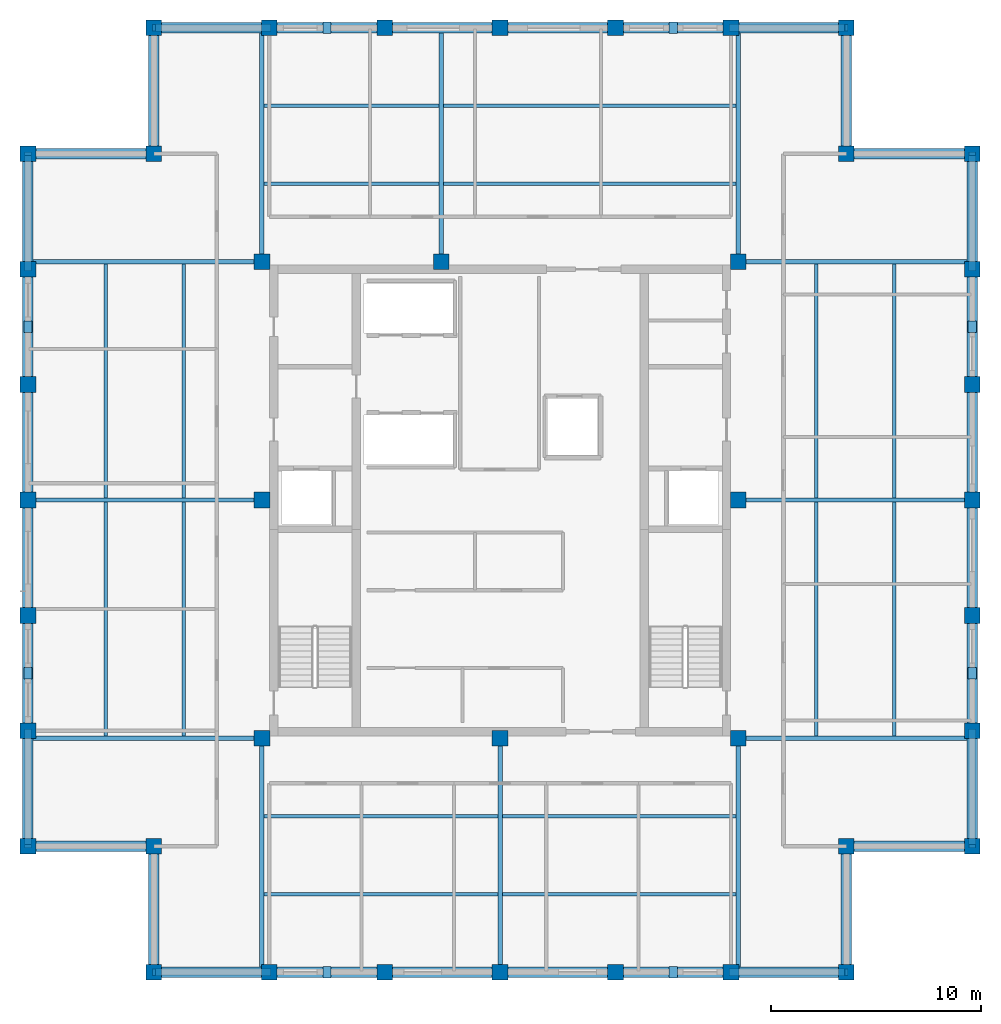
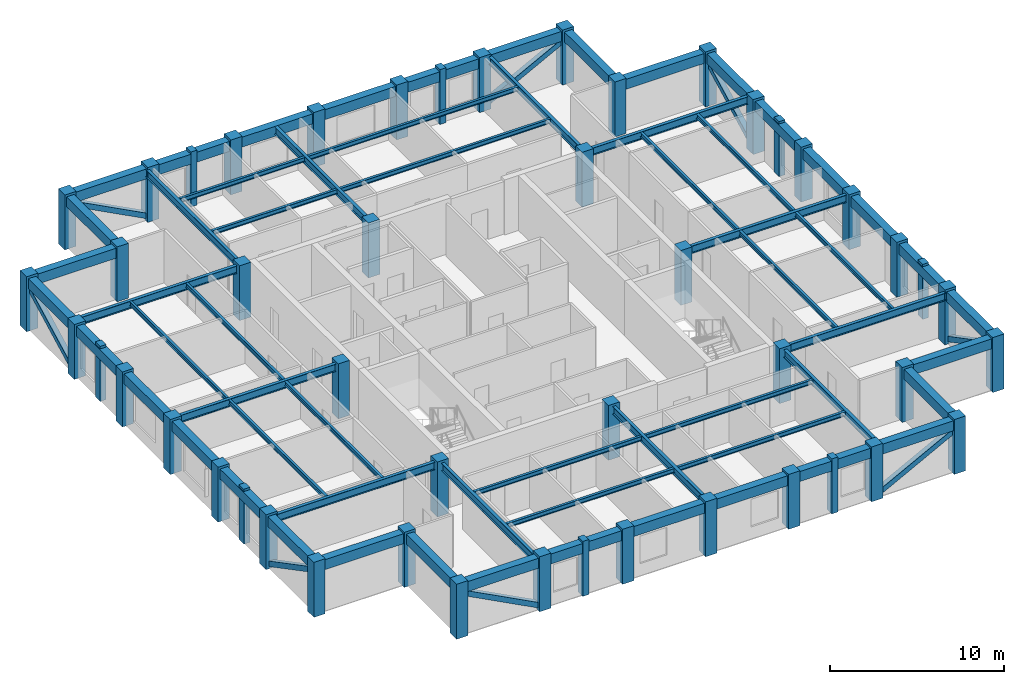
# One storey, part 1 of 7: 60 beams, 40 columns, 16 members.
"""IFC4 building model written with IfcOpenShell, lengths in metres."""

from ifc_helpers import new_model, si_unit, direction, frame, origin, origin_2d, place, context, subcontext, project, spatial, rectangle, hollow_rectangle, i_section, extrude, material, material_profile, profile_set, type_object, element, save


model = new_model("IFC4")

# Units and contexts
model_context = context("Model", 3, precision=1e-05, world=origin(), true_north=direction((0.0, 1.0)))
body_context = subcontext(model_context, "Body", "Model", "MODEL_VIEW")
ifc_project = project(units=[si_unit("LENGTHUNIT", "METRE"), si_unit("AREAUNIT", "SQUARE_METRE"), si_unit("VOLUMEUNIT", "CUBIC_METRE"), si_unit("PLANEANGLEUNIT", "RADIAN"), si_unit("MASSUNIT", "GRAM", prefix="KILO")], contexts=[model_context])

# Site, building, storey
site_placement = place(None, origin())
site = spatial("IfcSite", under=ifc_project, at=site_placement, CompositionType="ELEMENT")
building_placement = place(site_placement, origin())
building = spatial("IfcBuilding", under=site, at=building_placement, Name="Nhamokura Convention Tower", CompositionType="ELEMENT")
storey_placement = place(building_placement, frame((0.0, 0.0, 285.25)))
storey = spatial("IfcBuildingStorey", under=building, at=storey_placement, Name="L70", CompositionType="ELEMENT", Elevation=285.25)

# Columns
ifc_material_1 = material(Name="Concrete C50/60", Category="concrete")
ifc_material_profile_1 = material_profile(ifc_material_1, rectangle(XDim=0.75, YDim=0.75, at=origin_2d()))
ifc_profile_set_1 = profile_set([ifc_material_profile_1], Name="Concrete C50/60")
column_type = type_object("IfcColumnType", Name="TubeColumn_Z4_750", PredefinedType="COLUMN", material=ifc_profile_set_1)
for number, where, z_axis, x_axis, name in (
    (1, (20.64990234375, 20.64990234375, 0.0), (0.0, 0.0, 1.0), (1.0, 0.0, 0.0), "L70 Core Column CC-SW"),
    (2, (32.0, 20.64990234375, 0.0), (0.0, 0.0, 1.0), (1.0, 0.0, 0.0), "L70 Core Column CC-S"),
    (3, (43.35009765625, 20.64990234375, 0.0), (0.0, 0.0, 1.0), (1.0, 0.0, 0.0), "L70 Core Column CC-SE"),
    (4, (43.35009765625, 32.0, 0.0), (0.0, 0.0, 1.0), (1.0, 0.0, 0.0), "L70 Core Column CC-E"),
    (5, (43.35009765625, 43.35009765625, 0.0), (0.0, 0.0, 1.0), (1.0, 0.0, 0.0), "L70 Core Column CC-NE"),
    (6, (29.199951171875, 43.35009765625, 0.0), (0.0, 0.0, 1.0), (1.0, 0.0, 0.0), "L70 Core Column CC-N"),
    (7, (20.64990234375, 43.35009765625, 0.0), (0.0, 0.0, 1.0), (1.0, 0.0, 0.0), "L70 Core Column CC-NW"),
    (8, (20.64990234375, 32.0, 0.0), (0.0, 0.0, 1.0), (1.0, 0.0, 0.0), "L70 Core Column CC-W"),
    (9, (15.5, 9.5, 0.0), (0.0, 0.0, 1.0), (1.0, 0.0, 0.0), "L70 Perimeter Tube Column SW1"),
    (10, (15.5, 15.5, 0.0), (0.0, 0.0, 1.0), (1.0, 0.0, 0.0), "L70 Perimeter Tube Column SW0"),
    (11, (9.5, 15.5, 0.0), (0.0, 0.0, 1.0), (1.0, 0.0, 0.0), "L70 Perimeter Tube Column SW2"),
    (12, (48.5, 9.5, 0.0), (0.0, 0.0, 1.0), (1.0, 0.0, 0.0), "L70 Perimeter Tube Column SE1"),
    (13, (48.5, 15.5, 0.0), (0.0, 0.0, 1.0), (1.0, 0.0, 0.0), "L70 Perimeter Tube Column SE0"),
    (14, (54.5, 15.5, 0.0), (0.0, 0.0, 1.0), (1.0, 0.0, 0.0), "L70 Perimeter Tube Column SE2"),
    (15, (54.5, 48.5, 0.0), (0.0, 0.0, 1.0), (1.0, 0.0, 0.0), "L70 Perimeter Tube Column NE1"),
    (16, (48.5, 48.5, 0.0), (0.0, 0.0, 1.0), (1.0, 0.0, 0.0), "L70 Perimeter Tube Column NE0"),
    (17, (48.5, 54.5, 0.0), (0.0, 0.0, 1.0), (1.0, 0.0, 0.0), "L70 Perimeter Tube Column NE2"),
    (18, (15.5, 54.5, 0.0), (0.0, 0.0, 1.0), (1.0, 0.0, 0.0), "L70 Perimeter Tube Column NW1"),
    (19, (15.5, 48.5, 0.0), (0.0, 0.0, 1.0), (1.0, 0.0, 0.0), "L70 Perimeter Tube Column NW0"),
    (20, (9.5, 48.5, 0.0), (0.0, 0.0, 1.0), (1.0, 0.0, 0.0), "L70 Perimeter Tube Column NW2"),
    (21, (21.0, 9.5, 0.0), (0.0, 0.0, 1.0), (1.0, 0.0, 0.0), "L70 Perimeter Tube Column S1"),
    (22, (21.0, 54.5, 0.0), (0.0, 0.0, 1.0), (1.0, 0.0, 0.0), "L70 Perimeter Tube Column N1"),
    (23, (9.5, 21.0, 0.0), (0.0, 0.0, 1.0), (1.0, 0.0, 0.0), "L70 Perimeter Tube Column W1"),
    (24, (54.5, 21.0, 0.0), (0.0, 0.0, 1.0), (1.0, 0.0, 0.0), "L70 Perimeter Tube Column E1"),
    (25, (26.5, 9.5, 0.0), (0.0, 0.0, 1.0), (1.0, 0.0, 0.0), "L70 Perimeter Tube Column S2"),
    (26, (26.5, 54.5, 0.0), (0.0, 0.0, 1.0), (1.0, 0.0, 0.0), "L70 Perimeter Tube Column N2"),
    (27, (9.5, 26.5, 0.0), (0.0, 0.0, 1.0), (1.0, 0.0, 0.0), "L70 Perimeter Tube Column W2"),
    (28, (54.5, 26.5, 0.0), (0.0, 0.0, 1.0), (1.0, 0.0, 0.0), "L70 Perimeter Tube Column E2"),
    (29, (32.0, 9.5, 0.0), (0.0, 0.0, 1.0), (1.0, 0.0, 0.0), "L70 Perimeter Tube Column S3"),
    (30, (32.0, 54.5, 0.0), (0.0, 0.0, 1.0), (1.0, 0.0, 0.0), "L70 Perimeter Tube Column N3"),
    (31, (9.5, 32.0, 0.0), (0.0, 0.0, 1.0), (1.0, 0.0, 0.0), "L70 Perimeter Tube Column W3"),
    (32, (54.5, 32.0, 0.0), (0.0, 0.0, 1.0), (1.0, 0.0, 0.0), "L70 Perimeter Tube Column E3"),
    (33, (37.5, 9.5, 0.0), (0.0, 0.0, 1.0), (1.0, 0.0, 0.0), "L70 Perimeter Tube Column S4"),
    (34, (37.5, 54.5, 0.0), (0.0, 0.0, 1.0), (1.0, 0.0, 0.0), "L70 Perimeter Tube Column N4"),
    (35, (9.5, 37.5, 0.0), (0.0, 0.0, 1.0), (1.0, 0.0, 0.0), "L70 Perimeter Tube Column W4"),
    (36, (54.5, 37.5, 0.0), (0.0, 0.0, 1.0), (1.0, 0.0, 0.0), "L70 Perimeter Tube Column E4"),
    (37, (43.0, 9.5, 0.0), (0.0, 0.0, 1.0), (1.0, 0.0, 0.0), "L70 Perimeter Tube Column S5"),
    (38, (43.0, 54.5, 0.0), (0.0, 0.0, 1.0), (1.0, 0.0, 0.0), "L70 Perimeter Tube Column N5"),
    (39, (9.5, 43.0, 0.0), (0.0, 0.0, 1.0), (1.0, 0.0, 0.0), "L70 Perimeter Tube Column W5"),
    (40, (54.5, 43.0, 0.0), (0.0, 0.0, 1.0), (1.0, 0.0, 0.0), "L70 Perimeter Tube Column E5"),
):
    element("IfcColumn", number, at=place(storey_placement, frame(where, z_axis=z_axis, x_axis=x_axis)), inside=storey, type_object=column_type, Name=name, PredefinedType="COLUMN", context=body_context, shape_type="SweptSolid", body=[
        extrude(rectangle(XDim=0.75, YDim=0.75, at=origin_2d()), origin(), (0.0, 0.0, 1.0), 3.85009765625),
    ])

# Members
ifc_material_2 = material(Name="Bronze-pigmented precast concrete C45/55", Category="concrete")
ifc_material_profile_2 = material_profile(ifc_material_2, rectangle(XDim=0.39990234375, YDim=0.550048828125, at=origin_2d()))
ifc_profile_set_2 = profile_set([ifc_material_profile_2], Name="Bronze-pigmented precast concrete C45/55")
member_type_1 = type_object("IfcMemberType", Name="BronzePilaster_550", PredefinedType="USERDEFINED", material=ifc_profile_set_2)
for number, where, z_axis, x_axis, name in (
    (41, (23.75, 9.5, 0.0), (0.0, 0.0, 1.0), (1.0, 0.0, 0.0), "L70 Engaged Frame Pilaster SOUTH 1"),
    (42, (40.25, 9.5, 0.0), (0.0, 0.0, 1.0), (1.0, 0.0, 0.0), "L70 Engaged Frame Pilaster SOUTH 4"),
    (43, (23.75, 54.5, 0.0), (0.0, 0.0, 1.0), (1.0, 0.0, 0.0), "L70 Engaged Frame Pilaster NORTH 1"),
    (44, (40.25, 54.5, 0.0), (0.0, 0.0, 1.0), (1.0, 0.0, 0.0), "L70 Engaged Frame Pilaster NORTH 4"),
    (45, (9.5, 23.75, 0.0), (0.0, 0.0, 1.0), (1.0, 0.0, 0.0), "L70 Engaged Frame Pilaster WEST 1"),
    (46, (9.5, 40.25, 0.0), (0.0, 0.0, 1.0), (1.0, 0.0, 0.0), "L70 Engaged Frame Pilaster WEST 4"),
    (47, (54.5, 23.75, 0.0), (0.0, 0.0, 1.0), (1.0, 0.0, 0.0), "L70 Engaged Frame Pilaster EAST 1"),
    (48, (54.5, 40.25, 0.0), (0.0, 0.0, 1.0), (1.0, 0.0, 0.0), "L70 Engaged Frame Pilaster EAST 4"),
):
    element("IfcMember", number, at=place(storey_placement, frame(where, z_axis=z_axis, x_axis=x_axis)), inside=storey, type_object=member_type_1, Name=name, ObjectType="PILASTER_TRIM", PredefinedType="USERDEFINED", context=body_context, shape_type="SweptSolid", body=[
        extrude(rectangle(XDim=0.39990234375, YDim=0.550048828125, at=origin_2d()), origin(), (0.0, 0.0, 1.0), 3.85009765625),
    ])

# Beams
ifc_material_3 = material(Name="Steel ASTM A992 Gr 50", Category="steel")
ifc_material_profile_3 = material_profile(ifc_material_3, i_section(OverallWidth=0.166015625, OverallDepth=0.31298828125, WebThickness=0.006591796875, FlangeThickness=0.01123046875, at=origin_2d()))
ifc_profile_set_3 = profile_set([ifc_material_profile_3], Name="Steel ASTM A992 Gr 50")
beam_type_1 = type_object("IfcBeamType", Name="FloorJoist_W310X45", PredefinedType="JOIST", material=ifc_profile_set_3)
for number, where, z_axis, x_axis, name in (
    (49, (20.75244140625, 13.216796875, 3.528564453125), (1.0, 0.0, 0.0), (0.0, 1.0, 0.0), "L70 Composite Floor Joist S1A"),
    (50, (32.1025390625, 13.216796875, 3.528564453125), (1.0, 0.0, 0.0), (0.0, 1.0, 0.0), "L70 Composite Floor Joist S1B"),
    (51, (20.75244140625, 16.933349609375, 3.528564453125), (1.0, 0.0, 0.0), (0.0, 1.0, 0.0), "L70 Composite Floor Joist S2A"),
    (52, (32.1025390625, 16.933349609375, 3.528564453125), (1.0, 0.0, 0.0), (0.0, 1.0, 0.0), "L70 Composite Floor Joist S2B"),
):
    element("IfcBeam", number, at=place(storey_placement, frame(where, z_axis=z_axis, x_axis=x_axis)), inside=storey, type_object=beam_type_1, Name=name, PredefinedType="JOIST", context=body_context, shape_type="SweptSolid", body=[
        extrude(i_section(OverallWidth=0.166015625, OverallDepth=0.31298828125, WebThickness=0.006591796875, FlangeThickness=0.01123046875, at=origin_2d()), origin(), (0.0, 0.0, 1.0), 11.14501953125),
    ])
beam_1_placement = place(storey_placement, frame((20.75244140625, 47.066650390625, 3.528564453125), z_axis=(1.0, 0.0, 0.0), x_axis=(0.0, 1.0, 0.0)))
element("IfcBeam", 53, at=beam_1_placement, inside=storey, type_object=beam_type_1, Name="L70 Composite Floor Joist N1A", PredefinedType="JOIST", context=body_context, shape_type="SweptSolid", body=[
    extrude(i_section(OverallWidth=0.166015625, OverallDepth=0.31298828125, WebThickness=0.006591796875, FlangeThickness=0.01123046875, at=origin_2d()), origin(), (0.0, 0.0, 1.0), 8.344970703125),
])
beam_2_placement = place(storey_placement, frame((29.302490234375, 47.066650390625, 3.528564453125), z_axis=(1.0, 0.0, 0.0), x_axis=(0.0, 1.0, 0.0)))
element("IfcBeam", 54, at=beam_2_placement, inside=storey, type_object=beam_type_1, Name="L70 Composite Floor Joist N1B", PredefinedType="JOIST", context=body_context, shape_type="SweptSolid", body=[
    extrude(i_section(OverallWidth=0.166015625, OverallDepth=0.31298828125, WebThickness=0.006591796875, FlangeThickness=0.01123046875, at=origin_2d()), origin(), (0.0, 0.0, 1.0), 13.945068359375),
])
beam_3_placement = place(storey_placement, frame((20.75244140625, 50.783203125, 3.528564453125), z_axis=(1.0, 0.0, 0.0), x_axis=(0.0, 1.0, 0.0)))
element("IfcBeam", 55, at=beam_3_placement, inside=storey, type_object=beam_type_1, Name="L70 Composite Floor Joist N2A", PredefinedType="JOIST", context=body_context, shape_type="SweptSolid", body=[
    extrude(i_section(OverallWidth=0.166015625, OverallDepth=0.31298828125, WebThickness=0.006591796875, FlangeThickness=0.01123046875, at=origin_2d()), origin(), (0.0, 0.0, 1.0), 8.344970703125),
])
beam_4_placement = place(storey_placement, frame((29.302490234375, 50.783203125, 3.528564453125), z_axis=(1.0, 0.0, 0.0), x_axis=(0.0, 1.0, 0.0)))
element("IfcBeam", 56, at=beam_4_placement, inside=storey, type_object=beam_type_1, Name="L70 Composite Floor Joist N2B", PredefinedType="JOIST", context=body_context, shape_type="SweptSolid", body=[
    extrude(i_section(OverallWidth=0.166015625, OverallDepth=0.31298828125, WebThickness=0.006591796875, FlangeThickness=0.01123046875, at=origin_2d()), origin(), (0.0, 0.0, 1.0), 13.945068359375),
])
for number, where, z_axis, x_axis, name in (
    (57, (13.216796875, 20.75244140625, 3.528564453125), (0.0, 1.0, 0.0), (-1.0, 0.0, 0.0), "L70 Composite Floor Joist W1A"),
    (58, (13.216796875, 32.1025390625, 3.528564453125), (0.0, 1.0, 0.0), (-1.0, 0.0, 0.0), "L70 Composite Floor Joist W1B"),
    (59, (16.933349609375, 20.75244140625, 3.528564453125), (0.0, 1.0, 0.0), (-1.0, 0.0, 0.0), "L70 Composite Floor Joist W2A"),
    (60, (16.933349609375, 32.1025390625, 3.528564453125), (0.0, 1.0, 0.0), (-1.0, 0.0, 0.0), "L70 Composite Floor Joist W2B"),
    (61, (47.066650390625, 20.75244140625, 3.528564453125), (0.0, 1.0, 0.0), (-1.0, 0.0, 0.0), "L70 Composite Floor Joist E1A"),
    (62, (47.066650390625, 32.1025390625, 3.528564453125), (0.0, 1.0, 0.0), (-1.0, 0.0, 0.0), "L70 Composite Floor Joist E1B"),
    (63, (50.783203125, 20.75244140625, 3.528564453125), (0.0, 1.0, 0.0), (-1.0, 0.0, 0.0), "L70 Composite Floor Joist E2A"),
    (64, (50.783203125, 32.1025390625, 3.528564453125), (0.0, 1.0, 0.0), (-1.0, 0.0, 0.0), "L70 Composite Floor Joist E2B"),
):
    element("IfcBeam", number, at=place(storey_placement, frame(where, z_axis=z_axis, x_axis=x_axis)), inside=storey, type_object=beam_type_1, Name=name, PredefinedType="JOIST", context=body_context, shape_type="SweptSolid", body=[
        extrude(i_section(OverallWidth=0.166015625, OverallDepth=0.31298828125, WebThickness=0.006591796875, FlangeThickness=0.01123046875, at=origin_2d()), origin(), (0.0, 0.0, 1.0), 11.14501953125),
    ])
ifc_material_4 = material(Name="Steel ASTM A992 Gr 50", Category="steel")
ifc_material_profile_4 = material_profile(ifc_material_4, i_section(OverallWidth=0.208984375, OverallDepth=0.532958984375, WebThickness=0.01025390625, FlangeThickness=0.015625, at=origin_2d()))
ifc_profile_set_4 = profile_set([ifc_material_profile_4], Name="Steel ASTM A992 Gr 50")
beam_type_2 = type_object("IfcBeamType", Name="PrimaryGirder_W530X92", PredefinedType="BEAM", material=ifc_profile_set_4)
for number, where, z_axis, x_axis, name in (
    (65, (20.64990234375, 9.5, 3.41845703125), (0.0, 1.0, 0.0), (-1.0, 0.0, 0.0), "L70 Primary Floor Girder PG-S1"),
    (66, (32.0, 9.5, 3.41845703125), (0.0, 1.0, 0.0), (-1.0, 0.0, 0.0), "L70 Primary Floor Girder PG-S2"),
    (67, (43.35009765625, 9.5, 3.41845703125), (0.0, 1.0, 0.0), (-1.0, 0.0, 0.0), "L70 Primary Floor Girder PG-S3"),
    (68, (20.64990234375, 43.35009765625, 3.41845703125), (0.0, 1.0, 0.0), (-1.0, 0.0, 0.0), "L70 Primary Floor Girder PG-N1"),
    (69, (29.199951171875, 43.35009765625, 3.41845703125), (0.0, 1.0, 0.0), (-1.0, 0.0, 0.0), "L70 Primary Floor Girder PG-N2"),
    (70, (43.35009765625, 43.35009765625, 3.41845703125), (0.0, 1.0, 0.0), (-1.0, 0.0, 0.0), "L70 Primary Floor Girder PG-N3"),
    (71, (9.5, 20.64990234375, 3.41845703125), (1.0, 0.0, 0.0), (0.0, 1.0, 0.0), "L70 Primary Floor Girder PG-W1"),
    (72, (9.5, 32.0, 3.41845703125), (1.0, 0.0, 0.0), (0.0, 1.0, 0.0), "L70 Primary Floor Girder PG-W2"),
    (73, (9.5, 43.35009765625, 3.41845703125), (1.0, 0.0, 0.0), (0.0, 1.0, 0.0), "L70 Primary Floor Girder PG-W3"),
    (74, (43.35009765625, 20.64990234375, 3.41845703125), (1.0, 0.0, 0.0), (0.0, 1.0, 0.0), "L70 Primary Floor Girder PG-E1"),
    (75, (43.35009765625, 32.0, 3.41845703125), (1.0, 0.0, 0.0), (0.0, 1.0, 0.0), "L70 Primary Floor Girder PG-E2"),
    (76, (43.35009765625, 43.35009765625, 3.41845703125), (1.0, 0.0, 0.0), (0.0, 1.0, 0.0), "L70 Primary Floor Girder PG-E3"),
):
    element("IfcBeam", number, at=place(storey_placement, frame(where, z_axis=z_axis, x_axis=x_axis)), inside=storey, type_object=beam_type_2, Name=name, PredefinedType="BEAM", context=body_context, shape_type="SweptSolid", body=[
        extrude(i_section(OverallWidth=0.208984375, OverallDepth=0.532958984375, WebThickness=0.01025390625, FlangeThickness=0.015625, at=origin_2d()), origin(), (0.0, 0.0, 1.0), 11.14990234375),
    ])

# Members
ifc_material_5 = material(Name="Steel ASTM A572 Gr 50", Category="steel")
ifc_material_profile_5 = material_profile(ifc_material_5, hollow_rectangle(XDim=0.35009765625, YDim=0.35009765625, WallThickness=0.01611328125, at=origin_2d()))
ifc_profile_set_5 = profile_set([ifc_material_profile_5], Name="Steel ASTM A572 Gr 50")
member_type_2 = type_object("IfcMemberType", Name="TubeBrace_HSS350", PredefinedType="BRACE", material=ifc_profile_set_5)
for number, where, z_axis, x_axis, name in (
    (77, (21.0, 9.5, 0.14990234375), (-0.885562865764, 0.0, 0.464519548328), (0.0, -1.0, 0.0), "L70 Perimeter Tube Brace SOUTH Bay 0"),
    (78, (43.0, 9.5, 0.14990234375), (0.885562865764, 0.0, 0.464519548328), (0.0, 1.0, 0.0), "L70 Perimeter Tube Brace SOUTH Bay 5"),
    (79, (21.0, 54.5, 0.14990234375), (-0.885562865764, 0.0, 0.464519548328), (0.0, -1.0, 0.0), "L70 Perimeter Tube Brace NORTH Bay 0"),
    (80, (43.0, 54.5, 0.14990234375), (0.885562865764, 0.0, 0.464519548328), (0.0, 1.0, 0.0), "L70 Perimeter Tube Brace NORTH Bay 5"),
    (81, (9.5, 21.0, 0.14990234375), (0.0, -0.885562865764, 0.464519548328), (1.0, 0.0, 0.0), "L70 Perimeter Tube Brace WEST Bay 0"),
    (82, (9.5, 43.0, 0.14990234375), (0.0, 0.885562865764, 0.464519548328), (-1.0, 0.0, 0.0), "L70 Perimeter Tube Brace WEST Bay 5"),
    (83, (54.5, 21.0, 0.14990234375), (0.0, -0.885562865764, 0.464519548328), (1.0, 0.0, 0.0), "L70 Perimeter Tube Brace EAST Bay 0"),
    (84, (54.5, 43.0, 0.14990234375), (0.0, 0.885562865764, 0.464519548328), (-1.0, 0.0, 0.0), "L70 Perimeter Tube Brace EAST Bay 5"),
):
    element("IfcMember", number, at=place(storey_placement, frame(where, z_axis=z_axis, x_axis=x_axis)), inside=storey, type_object=member_type_2, Name=name, PredefinedType="BRACE", context=body_context, shape_type="SweptSolid", body=[
        extrude(hollow_rectangle(XDim=0.35009765625, YDim=0.35009765625, WallThickness=0.01611328125, at=origin_2d()), origin(), (0.0, 0.0, 1.0), 6.210693359375),
    ])

# Beams
ifc_material_6 = material(Name="Concrete C50/60", Category="concrete")
ifc_material_profile_6 = material_profile(ifc_material_6, rectangle(XDim=0.5, YDim=0.699951171875, at=origin_2d()))
ifc_profile_set_6 = profile_set([ifc_material_profile_6], Name="Concrete C50/60")
beam_type_3 = type_object("IfcBeamType", Name="TubeSpandrel_700", PredefinedType="SPANDREL", material=ifc_profile_set_6)
for number, where, z_axis, x_axis, name in (
    (85, (15.5, 9.5, 3.3349609375), (1.0, 0.0, 0.0), (0.0, 1.0, 0.0), "L70 Perimeter Spandrel SOUTH 1"),
    (86, (21.0, 9.5, 3.3349609375), (1.0, 0.0, 0.0), (0.0, 1.0, 0.0), "L70 Perimeter Spandrel SOUTH 2"),
    (87, (26.5, 9.5, 3.3349609375), (1.0, 0.0, 0.0), (0.0, 1.0, 0.0), "L70 Perimeter Spandrel SOUTH 3"),
    (88, (32.0, 9.5, 3.3349609375), (1.0, 0.0, 0.0), (0.0, 1.0, 0.0), "L70 Perimeter Spandrel SOUTH 4"),
    (89, (37.5, 9.5, 3.3349609375), (1.0, 0.0, 0.0), (0.0, 1.0, 0.0), "L70 Perimeter Spandrel SOUTH 5"),
    (90, (43.0, 9.5, 3.3349609375), (1.0, 0.0, 0.0), (0.0, 1.0, 0.0), "L70 Perimeter Spandrel SOUTH 6"),
    (91, (15.5, 54.5, 3.3349609375), (1.0, 0.0, 0.0), (0.0, 1.0, 0.0), "L70 Perimeter Spandrel NORTH 1"),
    (92, (21.0, 54.5, 3.3349609375), (1.0, 0.0, 0.0), (0.0, 1.0, 0.0), "L70 Perimeter Spandrel NORTH 2"),
    (93, (26.5, 54.5, 3.3349609375), (1.0, 0.0, 0.0), (0.0, 1.0, 0.0), "L70 Perimeter Spandrel NORTH 3"),
    (94, (32.0, 54.5, 3.3349609375), (1.0, 0.0, 0.0), (0.0, 1.0, 0.0), "L70 Perimeter Spandrel NORTH 4"),
    (95, (37.5, 54.5, 3.3349609375), (1.0, 0.0, 0.0), (0.0, 1.0, 0.0), "L70 Perimeter Spandrel NORTH 5"),
    (96, (43.0, 54.5, 3.3349609375), (1.0, 0.0, 0.0), (0.0, 1.0, 0.0), "L70 Perimeter Spandrel NORTH 6"),
    (97, (9.5, 15.5, 3.3349609375), (0.0, 1.0, 0.0), (-1.0, 0.0, 0.0), "L70 Perimeter Spandrel WEST 1"),
    (98, (9.5, 21.0, 3.3349609375), (0.0, 1.0, 0.0), (-1.0, 0.0, 0.0), "L70 Perimeter Spandrel WEST 2"),
    (99, (9.5, 26.5, 3.3349609375), (0.0, 1.0, 0.0), (-1.0, 0.0, 0.0), "L70 Perimeter Spandrel WEST 3"),
    (100, (9.5, 32.0, 3.3349609375), (0.0, 1.0, 0.0), (-1.0, 0.0, 0.0), "L70 Perimeter Spandrel WEST 4"),
    (101, (9.5, 37.5, 3.3349609375), (0.0, 1.0, 0.0), (-1.0, 0.0, 0.0), "L70 Perimeter Spandrel WEST 5"),
    (102, (9.5, 43.0, 3.3349609375), (0.0, 1.0, 0.0), (-1.0, 0.0, 0.0), "L70 Perimeter Spandrel WEST 6"),
    (103, (54.5, 15.5, 3.3349609375), (0.0, 1.0, 0.0), (-1.0, 0.0, 0.0), "L70 Perimeter Spandrel EAST 1"),
    (104, (54.5, 21.0, 3.3349609375), (0.0, 1.0, 0.0), (-1.0, 0.0, 0.0), "L70 Perimeter Spandrel EAST 2"),
    (105, (54.5, 26.5, 3.3349609375), (0.0, 1.0, 0.0), (-1.0, 0.0, 0.0), "L70 Perimeter Spandrel EAST 3"),
    (106, (54.5, 32.0, 3.3349609375), (0.0, 1.0, 0.0), (-1.0, 0.0, 0.0), "L70 Perimeter Spandrel EAST 4"),
    (107, (54.5, 37.5, 3.3349609375), (0.0, 1.0, 0.0), (-1.0, 0.0, 0.0), "L70 Perimeter Spandrel EAST 5"),
    (108, (54.5, 43.0, 3.3349609375), (0.0, 1.0, 0.0), (-1.0, 0.0, 0.0), "L70 Perimeter Spandrel EAST 6"),
):
    element("IfcBeam", number, at=place(storey_placement, frame(where, z_axis=z_axis, x_axis=x_axis)), inside=storey, type_object=beam_type_3, Name=name, PredefinedType="SPANDREL", context=body_context, shape_type="SweptSolid", body=[
        extrude(rectangle(XDim=0.5, YDim=0.699951171875, at=origin_2d()), origin(), (0.0, 0.0, 1.0), 5.5),
    ])
for number, where, z_axis, x_axis, name in (
    (109, (15.5, 9.5, 3.3349609375), (0.0, 1.0, 0.0), (-1.0, 0.0, 0.0), "L70 Notch Spandrel SW1"),
    (110, (15.5, 15.5, 3.3349609375), (-1.0, 0.0, 0.0), (0.0, -1.0, 0.0), "L70 Notch Spandrel SW2"),
    (111, (48.5, 9.5, 3.3349609375), (0.0, 1.0, 0.0), (-1.0, 0.0, 0.0), "L70 Notch Spandrel SE1"),
    (112, (48.5, 15.5, 3.3349609375), (1.0, 0.0, 0.0), (0.0, 1.0, 0.0), "L70 Notch Spandrel SE2"),
    (113, (54.5, 48.5, 3.3349609375), (-1.0, 0.0, 0.0), (0.0, -1.0, 0.0), "L70 Notch Spandrel NE1"),
    (114, (48.5, 48.5, 3.3349609375), (0.0, 1.0, 0.0), (-1.0, 0.0, 0.0), "L70 Notch Spandrel NE2"),
    (115, (15.5, 54.5, 3.3349609375), (0.0, -1.0, 0.0), (1.0, 0.0, 0.0), "L70 Notch Spandrel NW1"),
    (116, (15.5, 48.5, 3.3349609375), (-1.0, 0.0, 0.0), (0.0, -1.0, 0.0), "L70 Notch Spandrel NW2"),
):
    element("IfcBeam", number, at=place(storey_placement, frame(where, z_axis=z_axis, x_axis=x_axis)), inside=storey, type_object=beam_type_3, Name=name, PredefinedType="SPANDREL", context=body_context, shape_type="SweptSolid", body=[
        extrude(rectangle(XDim=0.5, YDim=0.699951171875, at=origin_2d()), origin(), (0.0, 0.0, 1.0), 6.0),
    ])

save(model, "model.ifc")
